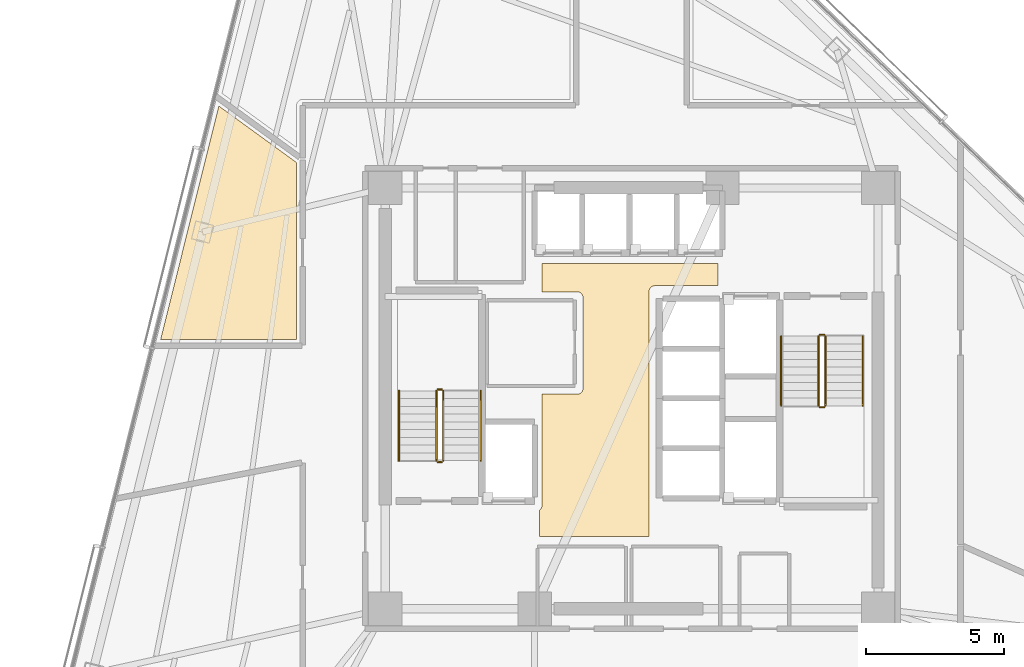
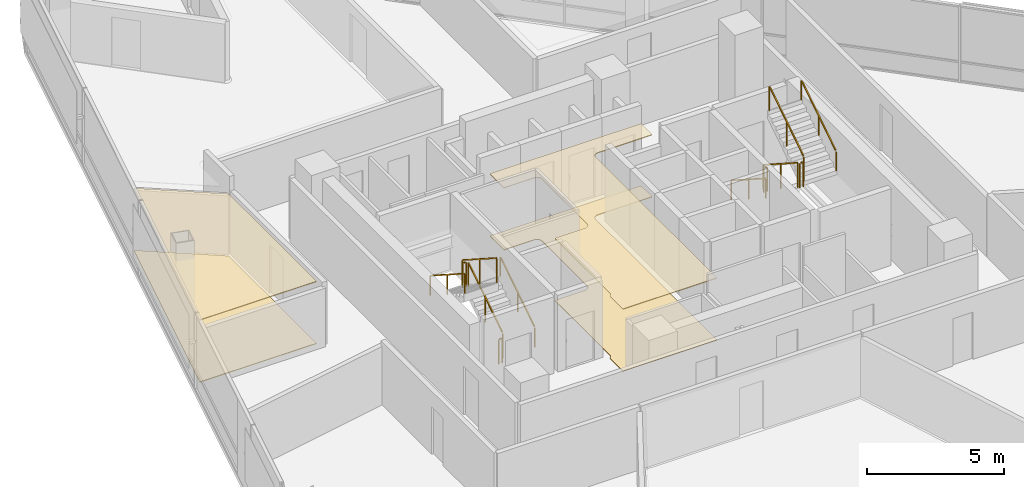
# One storey, part 16 of 17: 12 railings, 4 coverings.
"""IFC4 building model written with IfcOpenShell, lengths in metres."""

from ifc_helpers import new_model, si_unit, direction, frame, origin, origin_2d, place, context, subcontext, project, spatial, polyline, rectangle, outline, extrude, material, layer, layer_set, type_object, element, save


model = new_model("IFC4")

# Units and contexts
model_context = context("Model", 3, precision=1e-05, world=origin(), true_north=direction((0.0, 1.0)))
body_context = subcontext(model_context, "Body", "Model", "MODEL_VIEW")
ifc_project = project(units=[si_unit("LENGTHUNIT", "METRE"), si_unit("AREAUNIT", "SQUARE_METRE"), si_unit("VOLUMEUNIT", "CUBIC_METRE"), si_unit("PLANEANGLEUNIT", "RADIAN"), si_unit("MASSUNIT", "GRAM", prefix="KILO")], contexts=[model_context])

# Site, building, storey
site_placement = place(None, origin())
site = spatial("IfcSite", under=ifc_project, at=site_placement, CompositionType="ELEMENT")
building_placement = place(site_placement, origin())
building = spatial("IfcBuilding", under=site, at=building_placement, Name="Tharavind Bronze Gate", CompositionType="ELEMENT")
storey_placement = place(building_placement, frame((0.0, 0.0, 96.89990234375)))
storey = spatial("IfcBuildingStorey", under=building, at=storey_placement, Name="L24", CompositionType="ELEMENT", Elevation=96.89990234375)

# Coverings
ifc_material_1 = material(Name="Perforated Bronze Acoustic Panel", Category="bronze")
ifc_layer_1 = layer(ifc_material_1, 0.044921875)
ifc_layer_set_1 = layer_set([ifc_layer_1], Name="Perforated Bronze Acoustic Panel")
covering_type_1 = type_object("IfcCoveringType", Name="ACOUSTIC BRONZE BAFFLE CEILING", PredefinedType="CEILING", material=ifc_layer_set_1)
covering_1_placement = place(storey_placement, frame((0.0, 0.0, 2.75)))
element("IfcCovering", 1, at=covering_1_placement, inside=storey, type_object=covering_type_1, Name="L24-C-LL suspended ceiling", PredefinedType="CEILING", context=body_context, shape_type="SweptSolid", body=[
    extrude(outline(polyline([(-3.330078125, -4.97998046875), (0.6298828125, -4.97998046875), (0.6298828125, 3.85009765625), (0.631103515625, 3.87158203125), (0.63427734375, 3.892822265625), (0.639404296875, 3.913818359375), (0.646728515625, 3.93408203125), (0.656005859375, 3.95361328125), (0.6669921875, 3.97216796875), (0.679931640625, 3.989501953125), (0.6943359375, 4.005615234375), (0.71044921875, 4.02001953125), (0.727783203125, 4.032958984375), (0.746337890625, 4.0439453125), (0.765869140625, 4.05322265625), (0.7861328125, 4.060546875), (0.80712890625, 4.06591796875), (0.828369140625, 4.06884765625), (0.85009765625, 4.070068359375), (3.1298828125, 4.070068359375), (3.1298828125, 4.8798828125), (-3.22998046875, 4.8798828125), (-3.22998046875, 3.85009765625), (-1.969970703125, 3.85009765625), (-1.948486328125, 3.848876953125), (-1.927001953125, 3.845703125), (-1.906005859375, 3.840576171875), (-1.8857421875, 3.833251953125), (-1.8662109375, 3.823974609375), (-1.847900390625, 3.81298828125), (-1.830322265625, 3.800048828125), (-1.814453125, 3.78564453125), (-1.7998046875, 3.76953125), (-1.787109375, 3.752197265625), (-1.77587890625, 3.733642578125), (-1.7666015625, 3.714111328125), (-1.759521484375, 3.69384765625), (-1.754150390625, 3.6728515625), (-1.751220703125, 3.651611328125), (-1.75, 3.6298828125), (-1.75, 0.3701171875), (-1.751220703125, 0.348388671875), (-1.754150390625, 0.3271484375), (-1.759521484375, 0.30615234375), (-1.7666015625, 0.285888671875), (-1.77587890625, 0.266357421875), (-1.787109375, 0.247802734375), (-1.7998046875, 0.23046875), (-1.814453125, 0.21435546875), (-1.830322265625, 0.199951171875), (-1.847900390625, 0.18701171875), (-1.8662109375, 0.176025390625), (-1.8857421875, 0.166748046875), (-1.906005859375, 0.159423828125), (-1.927001953125, 0.154296875), (-1.948486328125, 0.151123046875), (-1.969970703125, 0.14990234375), (-3.22998046875, 0.14990234375), (-3.22998046875, -3.85009765625), (-3.231201171875, -3.87158203125), (-3.234130859375, -3.892822265625), (-3.239501953125, -3.913818359375), (-3.24658203125, -3.93408203125), (-3.256103515625, -3.95361328125), (-3.26708984375, -3.97216796875), (-3.27978515625, -3.989501953125), (-3.29443359375, -4.005615234375), (-3.310302734375, -4.02001953125), (-3.327880859375, -4.032958984375), (-3.330078125, -4.0341796875), (-3.330078125, -4.97998046875)])), origin(), (0.0, 0.0, 1.0), 0.03515625),
])
ifc_material_2 = material(Name="Engineered Oak & Carpet Tile", Category="wood")
ifc_layer_2 = layer(ifc_material_2, 0.02490234375)
ifc_layer_set_2 = layer_set([ifc_layer_2], Name="Engineered Oak & Carpet Tile")
covering_type_2 = type_object("IfcCoveringType", Name="ENGINEERED TIMBER FLOORING", PredefinedType="FLOORING", material=ifc_layer_set_2)
covering_2_placement = place(storey_placement, origin())
element("IfcCovering", 2, at=covering_2_placement, inside=storey, type_object=covering_type_2, Name="L24-RM-03 floor finish", PredefinedType="FLOORING", context=body_context, shape_type="SweptSolid", body=[
    extrude(outline(polyline([(-12.10009765625, 2.1201171875), (-12.10009765625, 8.519287109375), (-14.9072265625, 10.558837890625), (-17.01123046875, 2.1201171875), (-12.10009765625, 2.1201171875)])), origin(), (0.0, 0.0, 1.0), 0.025146484375),
])
ifc_material_3 = material(Name="Acoustic Gypsum Board", Category="gypsum")
ifc_layer_3 = layer(ifc_material_3, 0.030029296875)
ifc_layer_set_3 = layer_set([ifc_layer_3], Name="Acoustic Gypsum Board")
covering_type_3 = type_object("IfcCoveringType", Name="GYPSUM SUSPENDED CEILING", PredefinedType="CEILING", material=ifc_layer_set_3)
covering_3_placement = place(storey_placement, frame((0.0, 0.0, 2.75)))
element("IfcCovering", 3, at=covering_3_placement, inside=storey, type_object=covering_type_3, Name="L24-RM-03 suspended ceiling", PredefinedType="CEILING", context=body_context, shape_type="SweptSolid", body=[
    extrude(outline(polyline([(-12.10009765625, 2.1201171875), (-12.10009765625, 8.519287109375), (-14.9072265625, 10.558837890625), (-17.01123046875, 2.1201171875), (-12.10009765625, 2.1201171875)])), origin(), (0.0, 0.0, 1.0), 0.03515625),
])
ifc_material_4 = material(Name="Honed Travertine Limestone", Category="masonry")
ifc_layer_4 = layer(ifc_material_4, 0.030029296875)
ifc_layer_set_4 = layer_set([ifc_layer_4], Name="Honed Travertine Limestone")
covering_type_4 = type_object("IfcCoveringType", Name="HONED LIMESTONE FLOORING", PredefinedType="FLOORING", material=ifc_layer_set_4)
covering_4_placement = place(storey_placement, origin())
element("IfcCovering", 4, at=covering_4_placement, inside=storey, type_object=covering_type_4, Name="L24-C-LL floor finish", PredefinedType="FLOORING", context=body_context, shape_type="SweptSolid", body=[
    extrude(outline(polyline([(-3.330078125, -4.97998046875), (0.6298828125, -4.97998046875), (0.6298828125, 3.85009765625), (0.631103515625, 3.87158203125), (0.63427734375, 3.892822265625), (0.639404296875, 3.913818359375), (0.646728515625, 3.93408203125), (0.656005859375, 3.95361328125), (0.6669921875, 3.97216796875), (0.679931640625, 3.989501953125), (0.6943359375, 4.005615234375), (0.71044921875, 4.02001953125), (0.727783203125, 4.032958984375), (0.746337890625, 4.0439453125), (0.765869140625, 4.05322265625), (0.7861328125, 4.060546875), (0.80712890625, 4.06591796875), (0.828369140625, 4.06884765625), (0.85009765625, 4.070068359375), (3.1298828125, 4.070068359375), (3.1298828125, 4.8798828125), (-3.22998046875, 4.8798828125), (-3.22998046875, 3.85009765625), (-1.969970703125, 3.85009765625), (-1.948486328125, 3.848876953125), (-1.927001953125, 3.845703125), (-1.906005859375, 3.840576171875), (-1.8857421875, 3.833251953125), (-1.8662109375, 3.823974609375), (-1.847900390625, 3.81298828125), (-1.830322265625, 3.800048828125), (-1.814453125, 3.78564453125), (-1.7998046875, 3.76953125), (-1.787109375, 3.752197265625), (-1.77587890625, 3.733642578125), (-1.7666015625, 3.714111328125), (-1.759521484375, 3.69384765625), (-1.754150390625, 3.6728515625), (-1.751220703125, 3.651611328125), (-1.75, 3.6298828125), (-1.75, 0.3701171875), (-1.751220703125, 0.348388671875), (-1.754150390625, 0.3271484375), (-1.759521484375, 0.30615234375), (-1.7666015625, 0.285888671875), (-1.77587890625, 0.266357421875), (-1.787109375, 0.247802734375), (-1.7998046875, 0.23046875), (-1.814453125, 0.21435546875), (-1.830322265625, 0.199951171875), (-1.847900390625, 0.18701171875), (-1.8662109375, 0.176025390625), (-1.8857421875, 0.166748046875), (-1.906005859375, 0.159423828125), (-1.927001953125, 0.154296875), (-1.948486328125, 0.151123046875), (-1.969970703125, 0.14990234375), (-3.22998046875, 0.14990234375), (-3.22998046875, -3.85009765625), (-3.231201171875, -3.87158203125), (-3.234130859375, -3.892822265625), (-3.239501953125, -3.913818359375), (-3.24658203125, -3.93408203125), (-3.256103515625, -3.95361328125), (-3.26708984375, -3.97216796875), (-3.27978515625, -3.989501953125), (-3.29443359375, -4.005615234375), (-3.310302734375, -4.02001953125), (-3.327880859375, -4.032958984375), (-3.330078125, -4.0341796875), (-3.330078125, -4.97998046875)])), origin(), (0.0, 0.0, 1.0), 0.025146484375),
])

# Railings
ifc_material_5 = material(Name="Brushed Bronze Alloy", Category="metal")
railing_type_1 = type_object("IfcRailingType", Name="STAIR BRONZE HANDRAIL 900", PredefinedType="HANDRAIL", material=ifc_material_5)
railing_1_placement = place(storey_placement, frame((-5.449951171875, -2.25, 0.18017578125)))
element("IfcRailing", 5, at=railing_1_placement, inside=storey, type_object=railing_type_1, Name="L24 ST1 stair handrail 1", PredefinedType="HANDRAIL", context=body_context, shape_type="SweptSolid", body=[
    extrude(rectangle(XDim=0.048095703125, YDim=0.048095703125, at=origin_2d()), frame((0.0, 0.02685546875, 0.89306640625), z_axis=(0.0, 0.841199657755, 0.540724639528), x_axis=(-1.0, 0.0, 0.0)), (0.0, 0.0, 1.0), 2.931640625),
    extrude(rectangle(XDim=0.0400390625, YDim=0.0400390625, at=origin_2d()), origin(), (0.0, 0.0, 1.0), 0.847900390625),
    extrude(rectangle(XDim=0.0400390625, YDim=0.0400390625, at=origin_2d()), frame((0.0, 1.260009765625, 0.81005859375)), (0.0, 0.0, 1.0), 0.847900390625),
    extrude(rectangle(XDim=0.0400390625, YDim=0.0400390625, at=origin_2d()), frame((0.0, 2.52001953125, 1.619873046875)), (0.0, 0.0, 1.0), 0.847900390625),
])
railing_2_placement = place(storey_placement, frame((-8.39990234375, 0.27001953125, 1.97998046875)))
element("IfcRailing", 6, at=railing_2_placement, inside=storey, type_object=railing_type_1, Name="L24 ST1 stair handrail 2", PredefinedType="HANDRAIL", context=body_context, shape_type="SweptSolid", body=[
    extrude(rectangle(XDim=0.048095703125, YDim=0.048095703125, at=origin_2d()), frame((0.0, -0.02685546875, 0.89306640625), z_axis=(0.0, -0.841162588446, 0.540782303519), x_axis=(1.0, 0.0, 0.0)), (0.0, 0.0, 1.0), 2.931884765625),
    extrude(rectangle(XDim=0.0400390625, YDim=0.0400390625, at=origin_2d()), origin(), (0.0, 0.0, 1.0), 0.847900390625),
    extrude(rectangle(XDim=0.0400390625, YDim=0.0400390625, at=origin_2d()), frame((0.0, -1.260009765625, 0.81005859375)), (0.0, 0.0, 1.0), 0.847900390625),
    extrude(rectangle(XDim=0.0400390625, YDim=0.0400390625, at=origin_2d()), frame((0.0, -2.52001953125, 1.6201171875)), (0.0, 0.0, 1.0), 0.847900390625),
])
railing_3_placement = place(storey_placement, frame((5.39990234375, 2.25, 0.18017578125)))
element("IfcRailing", 7, at=railing_3_placement, inside=storey, type_object=railing_type_1, Name="L24 ST2 stair handrail 1", PredefinedType="HANDRAIL", context=body_context, shape_type="SweptSolid", body=[
    extrude(rectangle(XDim=0.048095703125, YDim=0.048095703125, at=origin_2d()), frame((0.0, -0.02685546875, 0.89306640625), z_axis=(0.0, -0.841199657755, 0.540724639528), x_axis=(1.0, 0.0, 0.0)), (0.0, 0.0, 1.0), 2.931640625),
    extrude(rectangle(XDim=0.0400390625, YDim=0.0400390625, at=origin_2d()), origin(), (0.0, 0.0, 1.0), 0.847900390625),
    extrude(rectangle(XDim=0.0400390625, YDim=0.0400390625, at=origin_2d()), frame((0.0, -1.260009765625, 0.81005859375)), (0.0, 0.0, 1.0), 0.847900390625),
    extrude(rectangle(XDim=0.0400390625, YDim=0.0400390625, at=origin_2d()), frame((0.0, -2.52001953125, 1.619873046875)), (0.0, 0.0, 1.0), 0.847900390625),
])
railing_4_placement = place(storey_placement, frame((8.35009765625, -0.27001953125, 1.97998046875)))
element("IfcRailing", 8, at=railing_4_placement, inside=storey, type_object=railing_type_1, Name="L24 ST2 stair handrail 2", PredefinedType="HANDRAIL", context=body_context, shape_type="SweptSolid", body=[
    extrude(rectangle(XDim=0.048095703125, YDim=0.048095703125, at=origin_2d()), frame((0.0, 0.02685546875, 0.89306640625), z_axis=(0.0, 0.841162588446, 0.540782303519), x_axis=(-1.0, 0.0, 0.0)), (0.0, 0.0, 1.0), 2.931884765625),
    extrude(rectangle(XDim=0.0400390625, YDim=0.0400390625, at=origin_2d()), origin(), (0.0, 0.0, 1.0), 0.847900390625),
    extrude(rectangle(XDim=0.0400390625, YDim=0.0400390625, at=origin_2d()), frame((0.0, 1.260009765625, 0.81005859375)), (0.0, 0.0, 1.0), 0.847900390625),
    extrude(rectangle(XDim=0.0400390625, YDim=0.0400390625, at=origin_2d()), frame((0.0, 2.52001953125, 1.6201171875)), (0.0, 0.0, 1.0), 0.847900390625),
])
railing_type_2 = type_object("IfcRailingType", Name="STAIR WELL GUARD RAILING 1120", PredefinedType="GUARDRAIL", material=ifc_material_5)
railing_5_placement = place(storey_placement, frame((-6.800048828125, -2.25, 0.18017578125)))
element("IfcRailing", 9, at=railing_5_placement, inside=storey, type_object=railing_type_2, Name="L24 ST1 stair guard 1", PredefinedType="GUARDRAIL", context=body_context, shape_type="SweptSolid", body=[
    extrude(rectangle(XDim=0.048095703125, YDim=0.048095703125, at=origin_2d()), frame((0.0, 0.02685546875, 1.11328125), z_axis=(0.0, 0.841199657755, 0.540724639528), x_axis=(-1.0, 0.0, 0.0)), (0.0, 0.0, 1.0), 2.931640625),
    extrude(rectangle(XDim=0.0400390625, YDim=0.0400390625, at=origin_2d()), origin(), (0.0, 0.0, 1.0), 1.068115234375),
    extrude(rectangle(XDim=0.0400390625, YDim=0.0400390625, at=origin_2d()), frame((0.0, 1.260009765625, 0.81005859375)), (0.0, 0.0, 1.0), 1.068115234375),
    extrude(rectangle(XDim=0.0400390625, YDim=0.0400390625, at=origin_2d()), frame((0.0, 2.52001953125, 1.619873046875)), (0.0, 0.0, 1.0), 1.068115234375),
])
railing_6_placement = place(storey_placement, frame((-6.85009765625, 0.320068359375, 1.800048828125)))
element("IfcRailing", 10, at=railing_6_placement, inside=storey, type_object=railing_type_2, Name="L24 ST1 stair guard 2", PredefinedType="GUARDRAIL", context=body_context, shape_type="SweptSolid", body=[
    extrude(rectangle(XDim=0.048095703125, YDim=0.048095703125, at=origin_2d()), frame((-0.031982421875, 0.0, 1.09619140625), z_axis=(-1.0, 0.0, 0.0), x_axis=(0.0, -1.0, 0.0)), (0.0, 0.0, 1.0), 0.0859375),
    extrude(rectangle(XDim=0.0400390625, YDim=0.0400390625, at=origin_2d()), origin(), (0.0, 0.0, 1.0), 1.068115234375),
    extrude(rectangle(XDim=0.0400390625, YDim=0.0400390625, at=origin_2d()), frame((-0.14990234375, 0.0, 0.0)), (0.0, 0.0, 1.0), 1.068115234375),
])
railing_7_placement = place(storey_placement, frame((-7.050048828125, 0.27001953125, 1.97998046875)))
element("IfcRailing", 11, at=railing_7_placement, inside=storey, type_object=railing_type_2, Name="L24 ST1 stair guard 3", PredefinedType="GUARDRAIL", context=body_context, shape_type="SweptSolid", body=[
    extrude(rectangle(XDim=0.048095703125, YDim=0.048095703125, at=origin_2d()), frame((0.0, -0.02685546875, 1.11328125), z_axis=(0.0, -0.841162588446, 0.540782303519), x_axis=(1.0, 0.0, 0.0)), (0.0, 0.0, 1.0), 2.931884765625),
    extrude(rectangle(XDim=0.0400390625, YDim=0.0400390625, at=origin_2d()), origin(), (0.0, 0.0, 1.0), 1.068115234375),
    extrude(rectangle(XDim=0.0400390625, YDim=0.0400390625, at=origin_2d()), frame((0.0, -1.260009765625, 0.81005859375)), (0.0, 0.0, 1.0), 1.068115234375),
    extrude(rectangle(XDim=0.0400390625, YDim=0.0400390625, at=origin_2d()), frame((0.0, -2.52001953125, 1.6201171875)), (0.0, 0.0, 1.0), 1.068115234375),
])
railing_8_placement = place(storey_placement, frame((-6.85009765625, -2.300048828125, 0.0)))
element("IfcRailing", 12, at=railing_8_placement, inside=storey, type_object=railing_type_2, Name="L24 ST1 stair guard 4", PredefinedType="GUARDRAIL", context=body_context, shape_type="SweptSolid", body=[
    extrude(rectangle(XDim=0.048095703125, YDim=0.048095703125, at=origin_2d()), frame((-0.031982421875, 0.0, 1.09619140625), z_axis=(-1.0, 0.0, 0.0), x_axis=(0.0, -1.0, 0.0)), (0.0, 0.0, 1.0), 0.0859375),
    extrude(rectangle(XDim=0.0400390625, YDim=0.0400390625, at=origin_2d()), origin(), (0.0, 0.0, 1.0), 1.068115234375),
    extrude(rectangle(XDim=0.0400390625, YDim=0.0400390625, at=origin_2d()), frame((-0.14990234375, 0.0, 0.0)), (0.0, 0.0, 1.0), 1.068115234375),
])
railing_9_placement = place(storey_placement, frame((6.75, 2.25, 0.18017578125)))
element("IfcRailing", 13, at=railing_9_placement, inside=storey, type_object=railing_type_2, Name="L24 ST2 stair guard 1", PredefinedType="GUARDRAIL", context=body_context, shape_type="SweptSolid", body=[
    extrude(rectangle(XDim=0.048095703125, YDim=0.048095703125, at=origin_2d()), frame((0.0, -0.02685546875, 1.11328125), z_axis=(0.0, -0.841199657755, 0.540724639528), x_axis=(1.0, 0.0, 0.0)), (0.0, 0.0, 1.0), 2.931640625),
    extrude(rectangle(XDim=0.0400390625, YDim=0.0400390625, at=origin_2d()), origin(), (0.0, 0.0, 1.0), 1.068115234375),
    extrude(rectangle(XDim=0.0400390625, YDim=0.0400390625, at=origin_2d()), frame((0.0, -1.260009765625, 0.81005859375)), (0.0, 0.0, 1.0), 1.068115234375),
    extrude(rectangle(XDim=0.0400390625, YDim=0.0400390625, at=origin_2d()), frame((0.0, -2.52001953125, 1.619873046875)), (0.0, 0.0, 1.0), 1.068115234375),
])
railing_10_placement = place(storey_placement, frame((6.800048828125, -0.320068359375, 1.800048828125)))
element("IfcRailing", 14, at=railing_10_placement, inside=storey, type_object=railing_type_2, Name="L24 ST2 stair guard 2", PredefinedType="GUARDRAIL", context=body_context, shape_type="SweptSolid", body=[
    extrude(rectangle(XDim=0.048095703125, YDim=0.048095703125, at=origin_2d()), frame((0.031982421875, 0.0, 1.09619140625), z_axis=(1.0, 0.0, 0.0), x_axis=(0.0, 1.0, 0.0)), (0.0, 0.0, 1.0), 0.0859375),
    extrude(rectangle(XDim=0.0400390625, YDim=0.0400390625, at=origin_2d()), origin(), (0.0, 0.0, 1.0), 1.068115234375),
    extrude(rectangle(XDim=0.0400390625, YDim=0.0400390625, at=origin_2d()), frame((0.14990234375, 0.0, 0.0)), (0.0, 0.0, 1.0), 1.068115234375),
])
railing_11_placement = place(storey_placement, frame((7.0, -0.27001953125, 1.97998046875)))
element("IfcRailing", 15, at=railing_11_placement, inside=storey, type_object=railing_type_2, Name="L24 ST2 stair guard 3", PredefinedType="GUARDRAIL", context=body_context, shape_type="SweptSolid", body=[
    extrude(rectangle(XDim=0.048095703125, YDim=0.048095703125, at=origin_2d()), frame((0.0, 0.02685546875, 1.11328125), z_axis=(0.0, 0.841162588446, 0.540782303519), x_axis=(-1.0, 0.0, 0.0)), (0.0, 0.0, 1.0), 2.931884765625),
    extrude(rectangle(XDim=0.0400390625, YDim=0.0400390625, at=origin_2d()), origin(), (0.0, 0.0, 1.0), 1.068115234375),
    extrude(rectangle(XDim=0.0400390625, YDim=0.0400390625, at=origin_2d()), frame((0.0, 1.260009765625, 0.81005859375)), (0.0, 0.0, 1.0), 1.068115234375),
    extrude(rectangle(XDim=0.0400390625, YDim=0.0400390625, at=origin_2d()), frame((0.0, 2.52001953125, 1.6201171875)), (0.0, 0.0, 1.0), 1.068115234375),
])
railing_12_placement = place(storey_placement, frame((6.800048828125, 2.300048828125, 0.0)))
element("IfcRailing", 16, at=railing_12_placement, inside=storey, type_object=railing_type_2, Name="L24 ST2 stair guard 4", PredefinedType="GUARDRAIL", context=body_context, shape_type="SweptSolid", body=[
    extrude(rectangle(XDim=0.048095703125, YDim=0.048095703125, at=origin_2d()), frame((0.031982421875, 0.0, 1.09619140625), z_axis=(1.0, 0.0, 0.0), x_axis=(0.0, 1.0, 0.0)), (0.0, 0.0, 1.0), 0.0859375),
    extrude(rectangle(XDim=0.0400390625, YDim=0.0400390625, at=origin_2d()), origin(), (0.0, 0.0, 1.0), 1.068115234375),
    extrude(rectangle(XDim=0.0400390625, YDim=0.0400390625, at=origin_2d()), frame((0.14990234375, 0.0, 0.0)), (0.0, 0.0, 1.0), 1.068115234375),
])

save(model, "model.ifc")
